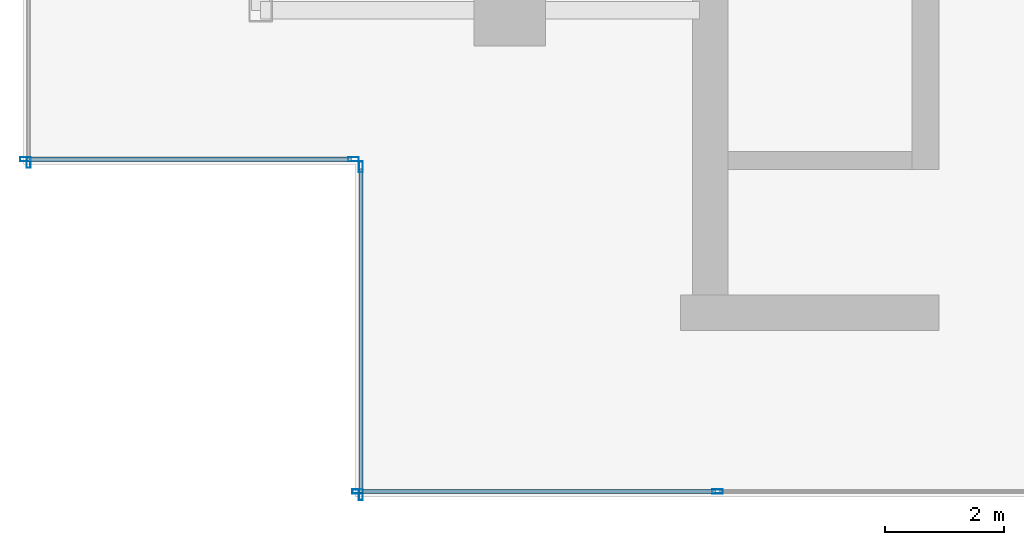
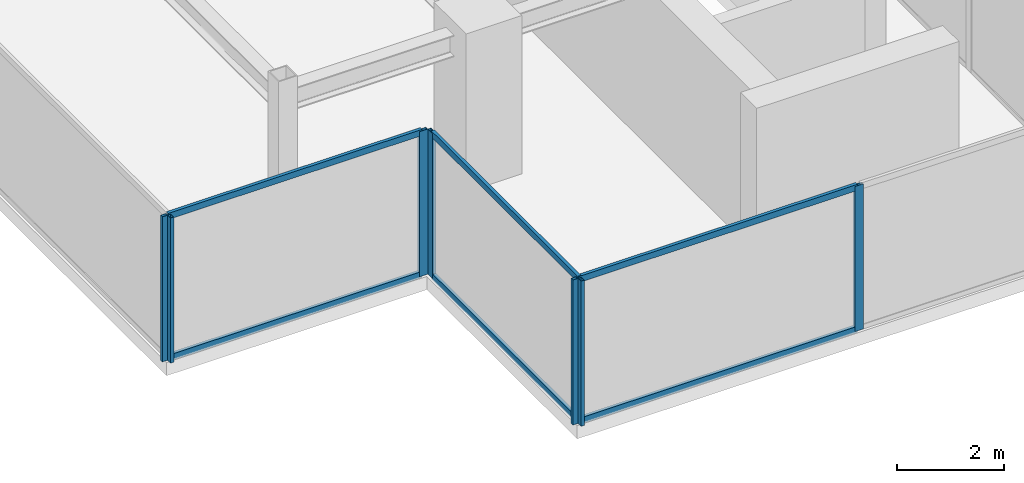
# One storey, part 2 of 16: 13 members, 4 elements without a shape of their own.
"""IFC4 building model written with IfcOpenShell, lengths in metres."""

from ifc_helpers import new_model, si_unit, direction, frame, origin, origin_2d, place, context, subcontext, project, spatial, hollow_rectangle, extrude, source, transform, mapped, material, material_profile, profile_set, type_object, type_shapes, element, aggregate, save


model = new_model("IFC4")

# Units and contexts
model_context = context("Model", 3, precision=1e-05, world=origin(), true_north=direction((0.0, 1.0)))
body_context = subcontext(model_context, "Body", "Model", "MODEL_VIEW")
ifc_project = project(units=[si_unit("LENGTHUNIT", "METRE"), si_unit("AREAUNIT", "SQUARE_METRE"), si_unit("VOLUMEUNIT", "CUBIC_METRE"), si_unit("PLANEANGLEUNIT", "RADIAN"), si_unit("MASSUNIT", "GRAM", prefix="KILO")], contexts=[model_context])

# Site, building, storey
site_placement = place(None, origin())
site = spatial("IfcSite", under=ifc_project, at=site_placement, CompositionType="ELEMENT")
building_placement = place(site_placement, origin())
building = spatial("IfcBuilding", under=site, at=building_placement, Name="Krantzveldt Concourse Tower", CompositionType="ELEMENT")
storey_placement = place(building_placement, frame((0.0, 0.0, 378.25)))
storey = spatial("IfcBuildingStorey", under=building, at=storey_placement, Name="L93", CompositionType="ELEMENT", Elevation=378.25)

# Curtain wall, members
ifc_material = material(Name="Anodised aluminium 6063-T6", Category="aluminium")
curtain_wall_type = type_object("IfcCurtainWallType", Name="CW7", PredefinedType="USERDEFINED", material=ifc_material)
curtain_wall_1_placement = place(storey_placement, origin())
curtain_wall_1 = element("IfcCurtainWall", 1, at=curtain_wall_1_placement, inside=storey, type_object=curtain_wall_type, Name="CW-L93-WEST-06", ObjectType="UNITISED CURTAIN WALL", PredefinedType="USERDEFINED")
ifc_material_profile_1 = material_profile(ifc_material, hollow_rectangle(XDim=0.070068359375, YDim=0.139892578125, WallThickness=0.0048828125, at=origin_2d()), Name="Anodised aluminium 6063-T6", Category="aluminium")
ifc_profile_set_1 = profile_set([ifc_material_profile_1], Name="Anodised aluminium 6063-T6 - ALU-TRAN 140x70x5")
member_type_1 = type_object("IfcMemberType", Name="CW-TRN-150", PredefinedType="USERDEFINED", material=ifc_profile_set_1)
shared_shape_1 = source(origin(), body_context, "Body", "SweptSolid", [
    extrude(hollow_rectangle(XDim=0.070068359375, YDim=0.139892578125, WallThickness=0.0048828125, at=origin_2d()), origin(), (0.0, 0.0, 1.0), 5.4599609375),
])
member_1_placement = place(storey_placement, frame((17.070068359375, 13.389892578125, 0.034912109375), z_axis=(1.0, 0.0, 0.0), x_axis=(0.0, 1.0, 0.0)))
member_1 = element("IfcMember", 2, at=member_1_placement, type_object=member_type_1, Name="CW-CRN transom 1.1", ObjectType="TRANSOM", PredefinedType="USERDEFINED", context=body_context, shape_type="MappedRepresentation", body=[
    mapped(shared_shape_1, transform((0.0, 0.0, 0.0), x_axis=(1.0, 0.0, 0.0), y_axis=(0.0, 1.0, 0.0), z_axis=(0.0, 0.0, 1.0), scale=1.0)),
])
member_2_placement = place(storey_placement, frame((17.070068359375, 13.389892578125, 3.264892578125), z_axis=(1.0, 0.0, 0.0), x_axis=(0.0, 1.0, 0.0)))
member_2 = element("IfcMember", 3, at=member_2_placement, type_object=member_type_1, Name="CW-CRN transom 1.2", ObjectType="TRANSOM", PredefinedType="USERDEFINED", context=body_context, shape_type="MappedRepresentation", body=[
    mapped(shared_shape_1, transform((0.0, 0.0, 0.0), x_axis=(1.0, 0.0, 0.0), y_axis=(0.0, 1.0, 0.0), z_axis=(0.0, 0.0, 1.0), scale=1.0)),
])

curtain_wall_2_placement = place(storey_placement, origin())
curtain_wall_2 = element("IfcCurtainWall", 4, at=curtain_wall_2_placement, inside=storey, type_object=curtain_wall_type, Name="CW-L93-WEST-07", ObjectType="UNITISED CURTAIN WALL", PredefinedType="USERDEFINED")
member_3_placement = place(storey_placement, frame((22.68994140625, 13.22998046875, 0.034912109375), z_axis=(0.0, -1.0, 0.0), x_axis=(1.0, 0.0, 0.0)))
member_3 = element("IfcMember", 5, at=member_3_placement, type_object=member_type_1, Name="CW-CRN transom 1.1", ObjectType="TRANSOM", PredefinedType="USERDEFINED", context=body_context, shape_type="MappedRepresentation", body=[
    mapped(shared_shape_1, transform((0.0, 0.0, 0.0), x_axis=(1.0, 0.0, 0.0), y_axis=(0.0, 1.0, 0.0), z_axis=(0.0, 0.0, 1.0), scale=1.0)),
])
member_4_placement = place(storey_placement, frame((22.68994140625, 13.22998046875, 3.264892578125), z_axis=(0.0, -1.0, 0.0), x_axis=(1.0, 0.0, 0.0)))
member_4 = element("IfcMember", 6, at=member_4_placement, type_object=member_type_1, Name="CW-CRN transom 1.2", ObjectType="TRANSOM", PredefinedType="USERDEFINED", context=body_context, shape_type="MappedRepresentation", body=[
    mapped(shared_shape_1, transform((0.0, 0.0, 0.0), x_axis=(1.0, 0.0, 0.0), y_axis=(0.0, 1.0, 0.0), z_axis=(0.0, 0.0, 1.0), scale=1.0)),
])

curtain_wall_3_placement = place(storey_placement, origin())
curtain_wall_3 = element("IfcCurtainWall", 7, at=curtain_wall_3_placement, inside=storey, type_object=curtain_wall_type, Name="CW-L93-WEST-00", ObjectType="UNITISED CURTAIN WALL", PredefinedType="USERDEFINED")
shared_shape_2 = source(origin(), body_context, "Body", "SweptSolid", [
    extrude(hollow_rectangle(XDim=0.070068359375, YDim=0.139892578125, WallThickness=0.0048828125, at=origin_2d()), origin(), (0.0, 0.0, 1.0), 5.9951171875),
])
type_shapes(member_type_1, [shared_shape_1, shared_shape_2])
member_5_placement = place(storey_placement, frame((22.669921875, 7.7900390625, 0.034912109375), z_axis=(1.0, 0.0, 0.0), x_axis=(0.0, 1.0, 0.0)))
member_5 = element("IfcMember", 8, at=member_5_placement, type_object=member_type_1, Name="CW-CRN transom 1.1", ObjectType="TRANSOM", PredefinedType="USERDEFINED", context=body_context, shape_type="MappedRepresentation", body=[
    mapped(shared_shape_2, transform((0.0, 0.0, 0.0), x_axis=(1.0, 0.0, 0.0), y_axis=(0.0, 1.0, 0.0), z_axis=(0.0, 0.0, 1.0), scale=1.0)),
])
member_6_placement = place(storey_placement, frame((22.669921875, 7.7900390625, 3.264892578125), z_axis=(1.0, 0.0, 0.0), x_axis=(0.0, 1.0, 0.0)))
member_6 = element("IfcMember", 9, at=member_6_placement, type_object=member_type_1, Name="CW-CRN transom 1.2", ObjectType="TRANSOM", PredefinedType="USERDEFINED", context=body_context, shape_type="MappedRepresentation", body=[
    mapped(shared_shape_2, transform((0.0, 0.0, 0.0), x_axis=(1.0, 0.0, 0.0), y_axis=(0.0, 1.0, 0.0), z_axis=(0.0, 0.0, 1.0), scale=1.0)),
])
ifc_material_profile_2 = material_profile(ifc_material, hollow_rectangle(XDim=0.070068359375, YDim=0.179931640625, WallThickness=0.0048828125, at=origin_2d()), Name="Anodised aluminium 6063-T6", Category="aluminium")
ifc_profile_set_2 = profile_set([ifc_material_profile_2], Name="Anodised aluminium 6063-T6 - ALU-MULL 180x70x5")
member_type_2 = type_object("IfcMemberType", Name="CW-MUL-180", PredefinedType="MULLION", material=ifc_profile_set_2)
shared_shape_3 = source(origin(), body_context, "Body", "SweptSolid", [
    extrude(hollow_rectangle(XDim=0.070068359375, YDim=0.179931640625, WallThickness=0.0048828125, at=origin_2d()), origin(), (0.0, 0.0, 1.0), 3.300048828125),
])
type_shapes(member_type_2, [shared_shape_3])
member_7_placement = place(storey_placement, frame((22.635009765625, 7.7900390625, 0.0), z_axis=(0.0, 0.0, 1.0), x_axis=(0.0, 1.0, 0.0)))
member_7 = element("IfcMember", 10, at=member_7_placement, type_object=member_type_2, Name="CW-CRN mullion 1", PredefinedType="MULLION", context=body_context, shape_type="MappedRepresentation", body=[
    mapped(shared_shape_3, transform((0.0, 0.0, 0.0), x_axis=(1.0, 0.0, 0.0), y_axis=(0.0, 1.0, 0.0), z_axis=(0.0, 0.0, 1.0), scale=1.0)),
])
member_8_placement = place(storey_placement, frame((28.699951171875, 7.7900390625, 0.0), z_axis=(0.0, 0.0, 1.0), x_axis=(0.0, 1.0, 0.0)))
member_8 = element("IfcMember", 11, at=member_8_placement, type_object=member_type_2, Name="CW-CRN mullion 2", PredefinedType="MULLION", context=body_context, shape_type="MappedRepresentation", body=[
    mapped(shared_shape_3, transform((0.0, 0.0, 0.0), x_axis=(1.0, 0.0, 0.0), y_axis=(0.0, 1.0, 0.0), z_axis=(0.0, 0.0, 1.0), scale=1.0)),
])
aggregate(curtain_wall_3, [member_7, member_8, member_5, member_6])

# Curtain wall, member
curtain_wall_4_placement = place(storey_placement, origin())
curtain_wall_4 = element("IfcCurtainWall", 12, at=curtain_wall_4_placement, inside=storey, type_object=curtain_wall_type, Name="CW-L93-WEST-05", ObjectType="UNITISED CURTAIN WALL", PredefinedType="USERDEFINED")
member_9_placement = place(storey_placement, frame((17.090087890625, 13.3349609375, 0.0), z_axis=(0.0, 0.0, 1.0), x_axis=(1.0, 0.0, 0.0)))
member_9 = element("IfcMember", 13, at=member_9_placement, type_object=member_type_2, Name="CW-CRN mullion 5", PredefinedType="MULLION", context=body_context, shape_type="MappedRepresentation", body=[
    mapped(shared_shape_3, transform((0.0, 0.0, 0.0), x_axis=(1.0, 0.0, 0.0), y_axis=(0.0, 1.0, 0.0), z_axis=(0.0, 0.0, 1.0), scale=1.0)),
])
aggregate(curtain_wall_4, [member_9])

# Member
member_10_placement = place(storey_placement, frame((17.034912109375, 13.389892578125, 0.0), z_axis=(0.0, 0.0, 1.0), x_axis=(0.0, 1.0, 0.0)))
member_10 = element("IfcMember", 14, at=member_10_placement, type_object=member_type_2, Name="CW-CRN mullion 1", PredefinedType="MULLION", context=body_context, shape_type="MappedRepresentation", body=[
    mapped(shared_shape_3, transform((0.0, 0.0, 0.0), x_axis=(1.0, 0.0, 0.0), y_axis=(0.0, 1.0, 0.0), z_axis=(0.0, 0.0, 1.0), scale=1.0)),
])

member_11_placement = place(storey_placement, frame((22.56494140625, 13.389892578125, 0.0), z_axis=(0.0, 0.0, 1.0), x_axis=(0.0, 1.0, 0.0)))
member_11 = element("IfcMember", 15, at=member_11_placement, type_object=member_type_2, Name="CW-CRN mullion 2", PredefinedType="MULLION", context=body_context, shape_type="MappedRepresentation", body=[
    mapped(shared_shape_3, transform((0.0, 0.0, 0.0), x_axis=(1.0, 0.0, 0.0), y_axis=(0.0, 1.0, 0.0), z_axis=(0.0, 0.0, 1.0), scale=1.0)),
])

aggregate(curtain_wall_1, [member_10, member_11, member_1, member_2])

member_12_placement = place(storey_placement, frame((22.68994140625, 13.264892578125, 0.0), z_axis=(0.0, 0.0, 1.0), x_axis=(1.0, 0.0, 0.0)))
member_12 = element("IfcMember", 16, at=member_12_placement, type_object=member_type_2, Name="CW-CRN mullion 1", PredefinedType="MULLION", context=body_context, shape_type="MappedRepresentation", body=[
    mapped(shared_shape_3, transform((0.0, 0.0, 0.0), x_axis=(1.0, 0.0, 0.0), y_axis=(0.0, 1.0, 0.0), z_axis=(0.0, 0.0, 1.0), scale=1.0)),
])

member_13_placement = place(storey_placement, frame((22.68994140625, 7.735107421875, 0.0), z_axis=(0.0, 0.0, 1.0), x_axis=(1.0, 0.0, 0.0)))
member_13 = element("IfcMember", 17, at=member_13_placement, type_object=member_type_2, Name="CW-CRN mullion 2", PredefinedType="MULLION", context=body_context, shape_type="MappedRepresentation", body=[
    mapped(shared_shape_3, transform((0.0, 0.0, 0.0), x_axis=(1.0, 0.0, 0.0), y_axis=(0.0, 1.0, 0.0), z_axis=(0.0, 0.0, 1.0), scale=1.0)),
])

aggregate(curtain_wall_2, [member_12, member_13, member_3, member_4])

save(model, "model.ifc")
